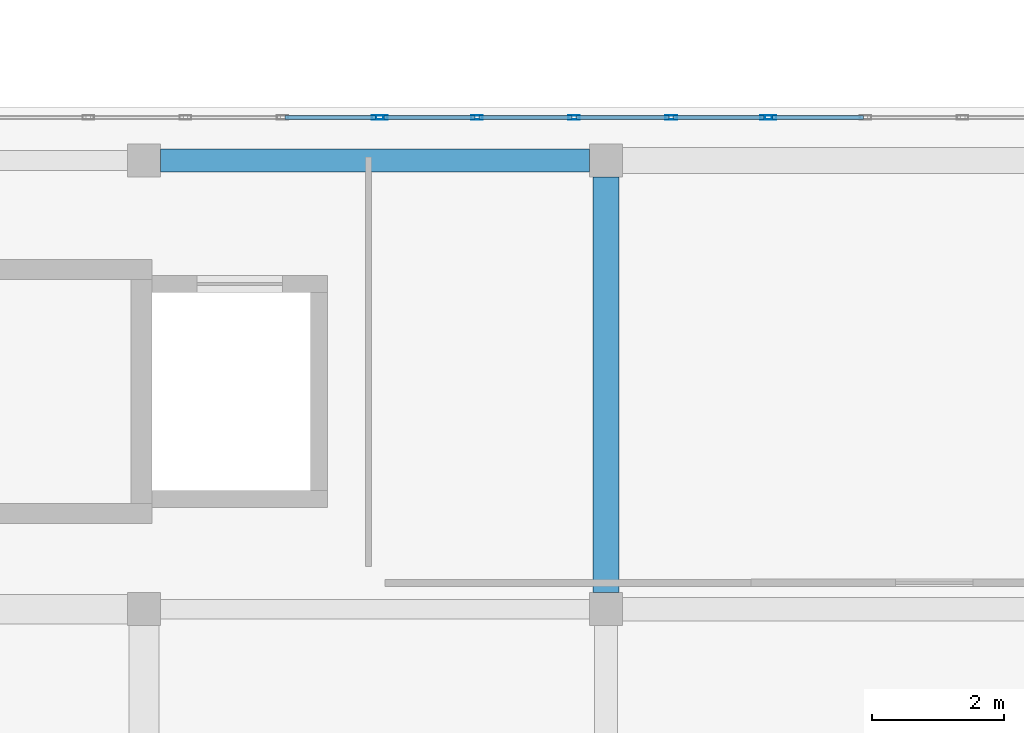
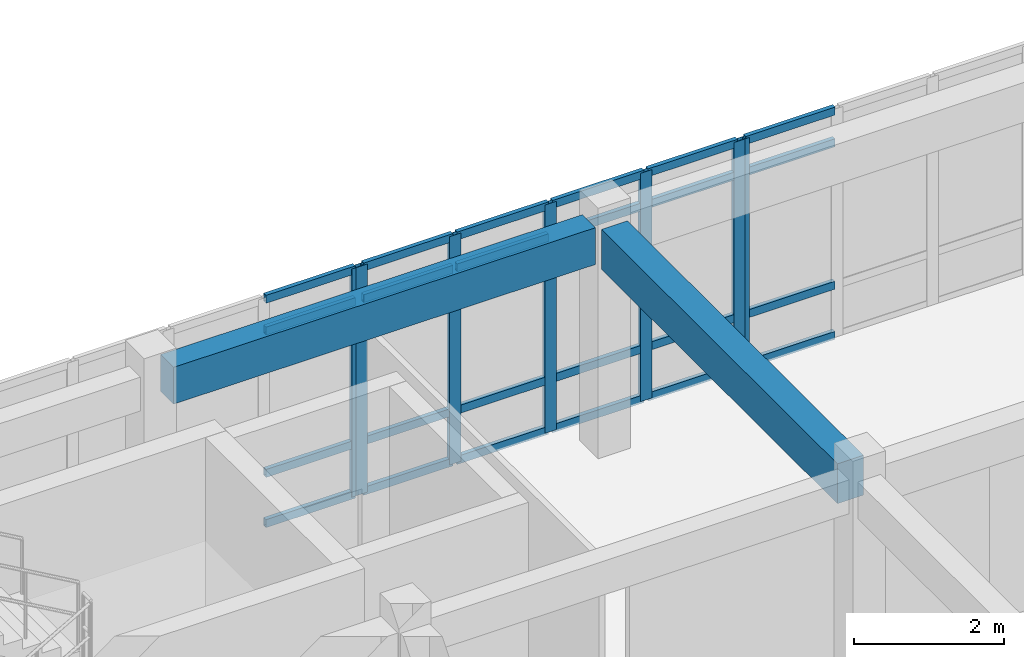
# One storey, part 29 of 91: 31 members, 2 beams, 3 elements without a shape of their own.
"""IFC4 building model written with IfcOpenShell, lengths in metres."""

from ifc_helpers import new_model, si_unit, direction, frame, origin, origin_2d, place, context, subcontext, project, spatial, rectangle, hollow_rectangle, extrude, material, layer, layer_set, material_profile, profile_set, type_object, element, aggregate, save


model = new_model("IFC4")

# Units and contexts
model_context = context("Model", 3, precision=1e-05, world=origin(), true_north=direction((0.0, 1.0)))
body_context = subcontext(model_context, "Body", "Model", "MODEL_VIEW")
ifc_project = project(units=[si_unit("LENGTHUNIT", "METRE"), si_unit("AREAUNIT", "SQUARE_METRE"), si_unit("VOLUMEUNIT", "CUBIC_METRE"), si_unit("PLANEANGLEUNIT", "RADIAN"), si_unit("MASSUNIT", "GRAM", prefix="KILO")], contexts=[model_context])

# Site, building, storey
site_placement = place(None, origin())
site = spatial("IfcSite", under=ifc_project, at=site_placement, CompositionType="ELEMENT")
building_placement = place(site_placement, origin())
building = spatial("IfcBuilding", under=site, at=building_placement, Name="Valcora Specialist Clinic", CompositionType="ELEMENT")
storey_placement = place(building_placement, frame((0.0, 0.0, 13.60009765625)))
storey = spatial("IfcBuildingStorey", under=building, at=storey_placement, Name="L03", CompositionType="ELEMENT", Elevation=13.60009765625)

# Beams
ifc_material_1 = material(Name="Concrete C40/50", Category="concrete")
ifc_material_profile_1 = material_profile(ifc_material_1, rectangle(XDim=0.35009765625, YDim=0.60009765625, at=origin_2d()), Name="RC-BM-350X600")
ifc_profile_set_1 = profile_set([ifc_material_profile_1], Name="Concrete C40/50")
beam_type_1 = type_object("IfcBeamType", Name="TY-BM-RC350X600", PredefinedType="BEAM", material=ifc_profile_set_1)
beam_1_placement = place(storey_placement, frame((38.050048828125, 22.0, 3.419921875), z_axis=(1.0, 0.0, 0.0), x_axis=(0.0, 1.0, 0.0)))
element("IfcBeam", 1, at=beam_1_placement, inside=storey, type_object=beam_type_1, Name="Beam BM-L03-1052", PredefinedType="BEAM", context=body_context, shape_type="SweptSolid", body=[
    extrude(rectangle(XDim=0.35009765625, YDim=0.60009765625, at=origin_2d()), origin(), (0.0, 0.0, 1.0), 6.5),
])
ifc_material_profile_2 = material_profile(ifc_material_1, rectangle(XDim=0.39990234375, YDim=0.64990234375, at=origin_2d()), Name="RC-BM-400X650")
ifc_profile_set_2 = profile_set([ifc_material_profile_2], Name="Concrete C40/50")
beam_type_2 = type_object("IfcBeamType", Name="TY-BM-RC400X650", PredefinedType="BEAM", material=ifc_profile_set_2)
beam_2_placement = place(storey_placement, frame((44.800048828125, 15.449951171875, 3.39501953125), z_axis=(0.0, 1.0, 0.0), x_axis=(-1.0, 0.0, 0.0)))
element("IfcBeam", 2, at=beam_2_placement, inside=storey, type_object=beam_type_2, Name="Beam BM-L03-1069", PredefinedType="BEAM", context=body_context, shape_type="SweptSolid", body=[
    extrude(rectangle(XDim=0.39990234375, YDim=0.64990234375, at=origin_2d()), origin(), (0.0, 0.0, 1.0), 6.300048828125),
])

# Curtain wall, member
ifc_material_2 = material(Name="Anodized Bronze Aluminium 6063-T6", Category="aluminium")
ifc_layer = layer(ifc_material_2, 0.175048828125)
ifc_layer_set = layer_set([ifc_layer], Name="Anodized Bronze Aluminium 6063-T6")
curtain_wall_type = type_object("IfcCurtainWallType", Name="TY-CW-V5F15", PredefinedType="NOTDEFINED", material=ifc_layer_set)
curtain_wall_1_placement = place(storey_placement, origin())
curtain_wall_1 = element("IfcCurtainWall", 3, at=curtain_wall_1_placement, inside=storey, type_object=curtain_wall_type, Name="Curtain wall CW-L03-161", PredefinedType="NOTDEFINED")
ifc_material_profile_3 = material_profile(ifc_material_2, hollow_rectangle(XDim=0.06494140625, YDim=0.175048828125, WallThickness=0.00390625, at=origin_2d()), Name="AL-MUL-65X175")
ifc_profile_set_3 = profile_set([ifc_material_profile_3], Name="Anodized Bronze Aluminium 6063-T6")
member_type_1 = type_object("IfcMemberType", Name="TY-CWM-65X175", PredefinedType="MULLION", material=ifc_profile_set_3)
member_1_placement = place(storey_placement, frame((41.339599609375, 22.64990234375, 0.0), z_axis=(0.0, 0.0, 1.0), x_axis=(0.0, 1.0, 0.0)))
member_1 = element("IfcMember", 4, at=member_1_placement, type_object=member_type_1, Name="CW-V5F-15 mullion 5", PredefinedType="MULLION", context=body_context, shape_type="SweptSolid", body=[
    extrude(hollow_rectangle(XDim=0.06494140625, YDim=0.175048828125, WallThickness=0.00390625, at=origin_2d()), origin(), (0.0, 0.0, 1.0), 3.719970703125),
])

# Curtain wall, members
curtain_wall_2_placement = place(storey_placement, origin())
curtain_wall_2 = element("IfcCurtainWall", 5, at=curtain_wall_2_placement, inside=storey, type_object=curtain_wall_type, Name="Curtain wall CW-L03-162", PredefinedType="NOTDEFINED")
member_2_placement = place(storey_placement, frame((41.40478515625, 22.64990234375, 0.0), z_axis=(0.0, 0.0, 1.0), x_axis=(0.0, 1.0, 0.0)))
member_2 = element("IfcMember", 6, at=member_2_placement, type_object=member_type_1, Name="CW-V5F-15 mullion 1", PredefinedType="MULLION", context=body_context, shape_type="SweptSolid", body=[
    extrude(hollow_rectangle(XDim=0.06494140625, YDim=0.175048828125, WallThickness=0.00390625, at=origin_2d()), origin(), (0.0, 0.0, 1.0), 3.719970703125),
])
member_3_placement = place(storey_placement, frame((42.844482421875, 22.64990234375, 0.0), z_axis=(0.0, 0.0, 1.0), x_axis=(0.0, 1.0, 0.0)))
member_3 = element("IfcMember", 7, at=member_3_placement, type_object=member_type_1, Name="CW-V5F-15 mullion 2", PredefinedType="MULLION", context=body_context, shape_type="SweptSolid", body=[
    extrude(hollow_rectangle(XDim=0.06494140625, YDim=0.175048828125, WallThickness=0.00390625, at=origin_2d()), origin(), (0.0, 0.0, 1.0), 3.719970703125),
])
member_4_placement = place(storey_placement, frame((44.316650390625, 22.64990234375, 0.0), z_axis=(0.0, 0.0, 1.0), x_axis=(0.0, 1.0, 0.0)))
member_4 = element("IfcMember", 8, at=member_4_placement, type_object=member_type_1, Name="CW-V5F-15 mullion 3", PredefinedType="MULLION", context=body_context, shape_type="SweptSolid", body=[
    extrude(hollow_rectangle(XDim=0.06494140625, YDim=0.175048828125, WallThickness=0.00390625, at=origin_2d()), origin(), (0.0, 0.0, 1.0), 3.719970703125),
])
member_5_placement = place(storey_placement, frame((45.788818359375, 22.64990234375, 0.0), z_axis=(0.0, 0.0, 1.0), x_axis=(0.0, 1.0, 0.0)))
member_5 = element("IfcMember", 9, at=member_5_placement, type_object=member_type_1, Name="CW-V5F-15 mullion 4", PredefinedType="MULLION", context=body_context, shape_type="SweptSolid", body=[
    extrude(hollow_rectangle(XDim=0.06494140625, YDim=0.175048828125, WallThickness=0.00390625, at=origin_2d()), origin(), (0.0, 0.0, 1.0), 3.719970703125),
])
member_6_placement = place(storey_placement, frame((47.228515625, 22.64990234375, 0.0), z_axis=(0.0, 0.0, 1.0), x_axis=(0.0, 1.0, 0.0)))
member_6 = element("IfcMember", 10, at=member_6_placement, type_object=member_type_1, Name="CW-V5F-15 mullion 5", PredefinedType="MULLION", context=body_context, shape_type="SweptSolid", body=[
    extrude(hollow_rectangle(XDim=0.06494140625, YDim=0.175048828125, WallThickness=0.00390625, at=origin_2d()), origin(), (0.0, 0.0, 1.0), 3.719970703125),
])

# Curtain wall, member
curtain_wall_3_placement = place(storey_placement, origin())
curtain_wall_3 = element("IfcCurtainWall", 11, at=curtain_wall_3_placement, inside=storey, type_object=curtain_wall_type, Name="Curtain wall CW-L03-163", PredefinedType="NOTDEFINED")
member_7_placement = place(storey_placement, frame((47.293701171875, 22.64990234375, 0.0), z_axis=(0.0, 0.0, 1.0), x_axis=(0.0, 1.0, 0.0)))
member_7 = element("IfcMember", 12, at=member_7_placement, type_object=member_type_1, Name="CW-V5F-15 mullion 1", PredefinedType="MULLION", context=body_context, shape_type="SweptSolid", body=[
    extrude(hollow_rectangle(XDim=0.06494140625, YDim=0.175048828125, WallThickness=0.00390625, at=origin_2d()), origin(), (0.0, 0.0, 1.0), 3.719970703125),
])

# Member
ifc_material_profile_4 = material_profile(ifc_material_2, hollow_rectangle(XDim=0.06494140625, YDim=0.1298828125, WallThickness=0.00390625, at=origin_2d()), Name="AL-TRN-65X130")
ifc_profile_set_4 = profile_set([ifc_material_profile_4], Name="Anodized Bronze Aluminium 6063-T6")
member_type_2 = type_object("IfcMemberType", Name="TY-CWT-65X130", PredefinedType="USERDEFINED", material=ifc_profile_set_4)
member_8_placement = place(storey_placement, frame((39.932373046875, 22.64990234375, 0.032470703125), z_axis=(1.0, 0.0, 0.0), x_axis=(0.0, 1.0, 0.0)))
member_8 = element("IfcMember", 13, at=member_8_placement, type_object=member_type_2, Name="CW-V5F-15 transom 4.1", ObjectType="TRANSOM", PredefinedType="USERDEFINED", context=body_context, shape_type="SweptSolid", body=[
    extrude(hollow_rectangle(XDim=0.06494140625, YDim=0.1298828125, WallThickness=0.00390625, at=origin_2d()), origin(), (0.0, 0.0, 1.0), 1.374755859375),
])

member_9_placement = place(storey_placement, frame((39.932373046875, 22.64990234375, 0.849853515625), z_axis=(1.0, 0.0, 0.0), x_axis=(0.0, 1.0, 0.0)))
member_9 = element("IfcMember", 14, at=member_9_placement, type_object=member_type_2, Name="CW-V5F-15 transom 4.2", ObjectType="TRANSOM", PredefinedType="USERDEFINED", context=body_context, shape_type="SweptSolid", body=[
    extrude(hollow_rectangle(XDim=0.06494140625, YDim=0.1298828125, WallThickness=0.00390625, at=origin_2d()), origin(), (0.0, 0.0, 1.0), 1.374755859375),
])

member_10_placement = place(storey_placement, frame((39.932373046875, 22.64990234375, 3.169921875), z_axis=(1.0, 0.0, 0.0), x_axis=(0.0, 1.0, 0.0)))
member_10 = element("IfcMember", 15, at=member_10_placement, type_object=member_type_2, Name="CW-V5F-15 transom 4.3", ObjectType="TRANSOM", PredefinedType="USERDEFINED", context=body_context, shape_type="SweptSolid", body=[
    extrude(hollow_rectangle(XDim=0.06494140625, YDim=0.1298828125, WallThickness=0.00390625, at=origin_2d()), origin(), (0.0, 0.0, 1.0), 1.374755859375),
])

member_11_placement = place(storey_placement, frame((39.932373046875, 22.64990234375, 3.6875), z_axis=(1.0, 0.0, 0.0), x_axis=(0.0, 1.0, 0.0)))
member_11 = element("IfcMember", 16, at=member_11_placement, type_object=member_type_2, Name="CW-V5F-15 transom 4.4", ObjectType="TRANSOM", PredefinedType="USERDEFINED", context=body_context, shape_type="SweptSolid", body=[
    extrude(hollow_rectangle(XDim=0.06494140625, YDim=0.1298828125, WallThickness=0.00390625, at=origin_2d()), origin(), (0.0, 0.0, 1.0), 1.374755859375),
])

aggregate(curtain_wall_1, [member_1, member_8, member_9, member_10, member_11])

member_12_placement = place(storey_placement, frame((41.437255859375, 22.64990234375, 0.032470703125), z_axis=(1.0, 0.0, 0.0), x_axis=(0.0, 1.0, 0.0)))
member_12 = element("IfcMember", 17, at=member_12_placement, type_object=member_type_2, Name="CW-V5F-15 transom 1.1", ObjectType="TRANSOM", PredefinedType="USERDEFINED", context=body_context, shape_type="SweptSolid", body=[
    extrude(hollow_rectangle(XDim=0.06494140625, YDim=0.1298828125, WallThickness=0.00390625, at=origin_2d()), origin(), (0.0, 0.0, 1.0), 1.374755859375),
])

member_13_placement = place(storey_placement, frame((41.437255859375, 22.64990234375, 0.849853515625), z_axis=(1.0, 0.0, 0.0), x_axis=(0.0, 1.0, 0.0)))
member_13 = element("IfcMember", 18, at=member_13_placement, type_object=member_type_2, Name="CW-V5F-15 transom 1.2", ObjectType="TRANSOM", PredefinedType="USERDEFINED", context=body_context, shape_type="SweptSolid", body=[
    extrude(hollow_rectangle(XDim=0.06494140625, YDim=0.1298828125, WallThickness=0.00390625, at=origin_2d()), origin(), (0.0, 0.0, 1.0), 1.374755859375),
])

member_14_placement = place(storey_placement, frame((41.437255859375, 22.64990234375, 3.169921875), z_axis=(1.0, 0.0, 0.0), x_axis=(0.0, 1.0, 0.0)))
member_14 = element("IfcMember", 19, at=member_14_placement, type_object=member_type_2, Name="CW-V5F-15 transom 1.3", ObjectType="TRANSOM", PredefinedType="USERDEFINED", context=body_context, shape_type="SweptSolid", body=[
    extrude(hollow_rectangle(XDim=0.06494140625, YDim=0.1298828125, WallThickness=0.00390625, at=origin_2d()), origin(), (0.0, 0.0, 1.0), 1.374755859375),
])

member_15_placement = place(storey_placement, frame((41.437255859375, 22.64990234375, 3.6875), z_axis=(1.0, 0.0, 0.0), x_axis=(0.0, 1.0, 0.0)))
member_15 = element("IfcMember", 20, at=member_15_placement, type_object=member_type_2, Name="CW-V5F-15 transom 1.4", ObjectType="TRANSOM", PredefinedType="USERDEFINED", context=body_context, shape_type="SweptSolid", body=[
    extrude(hollow_rectangle(XDim=0.06494140625, YDim=0.1298828125, WallThickness=0.00390625, at=origin_2d()), origin(), (0.0, 0.0, 1.0), 1.374755859375),
])

member_16_placement = place(storey_placement, frame((42.876953125, 22.64990234375, 0.032470703125), z_axis=(1.0, 0.0, 0.0), x_axis=(0.0, 1.0, 0.0)))
member_16 = element("IfcMember", 21, at=member_16_placement, type_object=member_type_2, Name="CW-V5F-15 transom 2.1", ObjectType="TRANSOM", PredefinedType="USERDEFINED", context=body_context, shape_type="SweptSolid", body=[
    extrude(hollow_rectangle(XDim=0.06494140625, YDim=0.1298828125, WallThickness=0.00390625, at=origin_2d()), origin(), (0.0, 0.0, 1.0), 1.4072265625),
])

member_17_placement = place(storey_placement, frame((42.876953125, 22.64990234375, 0.849853515625), z_axis=(1.0, 0.0, 0.0), x_axis=(0.0, 1.0, 0.0)))
member_17 = element("IfcMember", 22, at=member_17_placement, type_object=member_type_2, Name="CW-V5F-15 transom 2.2", ObjectType="TRANSOM", PredefinedType="USERDEFINED", context=body_context, shape_type="SweptSolid", body=[
    extrude(hollow_rectangle(XDim=0.06494140625, YDim=0.1298828125, WallThickness=0.00390625, at=origin_2d()), origin(), (0.0, 0.0, 1.0), 1.4072265625),
])

member_18_placement = place(storey_placement, frame((42.876953125, 22.64990234375, 3.169921875), z_axis=(1.0, 0.0, 0.0), x_axis=(0.0, 1.0, 0.0)))
member_18 = element("IfcMember", 23, at=member_18_placement, type_object=member_type_2, Name="CW-V5F-15 transom 2.3", ObjectType="TRANSOM", PredefinedType="USERDEFINED", context=body_context, shape_type="SweptSolid", body=[
    extrude(hollow_rectangle(XDim=0.06494140625, YDim=0.1298828125, WallThickness=0.00390625, at=origin_2d()), origin(), (0.0, 0.0, 1.0), 1.4072265625),
])

member_19_placement = place(storey_placement, frame((42.876953125, 22.64990234375, 3.6875), z_axis=(1.0, 0.0, 0.0), x_axis=(0.0, 1.0, 0.0)))
member_19 = element("IfcMember", 24, at=member_19_placement, type_object=member_type_2, Name="CW-V5F-15 transom 2.4", ObjectType="TRANSOM", PredefinedType="USERDEFINED", context=body_context, shape_type="SweptSolid", body=[
    extrude(hollow_rectangle(XDim=0.06494140625, YDim=0.1298828125, WallThickness=0.00390625, at=origin_2d()), origin(), (0.0, 0.0, 1.0), 1.4072265625),
])

member_20_placement = place(storey_placement, frame((44.34912109375, 22.64990234375, 0.032470703125), z_axis=(1.0, 0.0, 0.0), x_axis=(0.0, 1.0, 0.0)))
member_20 = element("IfcMember", 25, at=member_20_placement, type_object=member_type_2, Name="CW-V5F-15 transom 3.1", ObjectType="TRANSOM", PredefinedType="USERDEFINED", context=body_context, shape_type="SweptSolid", body=[
    extrude(hollow_rectangle(XDim=0.06494140625, YDim=0.1298828125, WallThickness=0.00390625, at=origin_2d()), origin(), (0.0, 0.0, 1.0), 1.4072265625),
])

member_21_placement = place(storey_placement, frame((44.34912109375, 22.64990234375, 0.849853515625), z_axis=(1.0, 0.0, 0.0), x_axis=(0.0, 1.0, 0.0)))
member_21 = element("IfcMember", 26, at=member_21_placement, type_object=member_type_2, Name="CW-V5F-15 transom 3.2", ObjectType="TRANSOM", PredefinedType="USERDEFINED", context=body_context, shape_type="SweptSolid", body=[
    extrude(hollow_rectangle(XDim=0.06494140625, YDim=0.1298828125, WallThickness=0.00390625, at=origin_2d()), origin(), (0.0, 0.0, 1.0), 1.4072265625),
])

member_22_placement = place(storey_placement, frame((44.34912109375, 22.64990234375, 3.169921875), z_axis=(1.0, 0.0, 0.0), x_axis=(0.0, 1.0, 0.0)))
member_22 = element("IfcMember", 27, at=member_22_placement, type_object=member_type_2, Name="CW-V5F-15 transom 3.3", ObjectType="TRANSOM", PredefinedType="USERDEFINED", context=body_context, shape_type="SweptSolid", body=[
    extrude(hollow_rectangle(XDim=0.06494140625, YDim=0.1298828125, WallThickness=0.00390625, at=origin_2d()), origin(), (0.0, 0.0, 1.0), 1.4072265625),
])

member_23_placement = place(storey_placement, frame((44.34912109375, 22.64990234375, 3.6875), z_axis=(1.0, 0.0, 0.0), x_axis=(0.0, 1.0, 0.0)))
member_23 = element("IfcMember", 28, at=member_23_placement, type_object=member_type_2, Name="CW-V5F-15 transom 3.4", ObjectType="TRANSOM", PredefinedType="USERDEFINED", context=body_context, shape_type="SweptSolid", body=[
    extrude(hollow_rectangle(XDim=0.06494140625, YDim=0.1298828125, WallThickness=0.00390625, at=origin_2d()), origin(), (0.0, 0.0, 1.0), 1.4072265625),
])

member_24_placement = place(storey_placement, frame((45.8212890625, 22.64990234375, 0.032470703125), z_axis=(1.0, 0.0, 0.0), x_axis=(0.0, 1.0, 0.0)))
member_24 = element("IfcMember", 29, at=member_24_placement, type_object=member_type_2, Name="CW-V5F-15 transom 4.1", ObjectType="TRANSOM", PredefinedType="USERDEFINED", context=body_context, shape_type="SweptSolid", body=[
    extrude(hollow_rectangle(XDim=0.06494140625, YDim=0.1298828125, WallThickness=0.00390625, at=origin_2d()), origin(), (0.0, 0.0, 1.0), 1.374755859375),
])

member_25_placement = place(storey_placement, frame((45.8212890625, 22.64990234375, 0.849853515625), z_axis=(1.0, 0.0, 0.0), x_axis=(0.0, 1.0, 0.0)))
member_25 = element("IfcMember", 30, at=member_25_placement, type_object=member_type_2, Name="CW-V5F-15 transom 4.2", ObjectType="TRANSOM", PredefinedType="USERDEFINED", context=body_context, shape_type="SweptSolid", body=[
    extrude(hollow_rectangle(XDim=0.06494140625, YDim=0.1298828125, WallThickness=0.00390625, at=origin_2d()), origin(), (0.0, 0.0, 1.0), 1.374755859375),
])

member_26_placement = place(storey_placement, frame((45.8212890625, 22.64990234375, 3.169921875), z_axis=(1.0, 0.0, 0.0), x_axis=(0.0, 1.0, 0.0)))
member_26 = element("IfcMember", 31, at=member_26_placement, type_object=member_type_2, Name="CW-V5F-15 transom 4.3", ObjectType="TRANSOM", PredefinedType="USERDEFINED", context=body_context, shape_type="SweptSolid", body=[
    extrude(hollow_rectangle(XDim=0.06494140625, YDim=0.1298828125, WallThickness=0.00390625, at=origin_2d()), origin(), (0.0, 0.0, 1.0), 1.374755859375),
])

member_27_placement = place(storey_placement, frame((45.8212890625, 22.64990234375, 3.6875), z_axis=(1.0, 0.0, 0.0), x_axis=(0.0, 1.0, 0.0)))
member_27 = element("IfcMember", 32, at=member_27_placement, type_object=member_type_2, Name="CW-V5F-15 transom 4.4", ObjectType="TRANSOM", PredefinedType="USERDEFINED", context=body_context, shape_type="SweptSolid", body=[
    extrude(hollow_rectangle(XDim=0.06494140625, YDim=0.1298828125, WallThickness=0.00390625, at=origin_2d()), origin(), (0.0, 0.0, 1.0), 1.374755859375),
])

aggregate(curtain_wall_2, [member_2, member_3, member_4, member_5, member_6, member_12, member_13, member_14, member_15, member_16, member_17, member_18, member_19, member_20, member_21, member_22, member_23, member_24, member_25, member_26, member_27])

member_28_placement = place(storey_placement, frame((47.326171875, 22.64990234375, 0.032470703125), z_axis=(1.0, 0.0, 0.0), x_axis=(0.0, 1.0, 0.0)))
member_28 = element("IfcMember", 33, at=member_28_placement, type_object=member_type_2, Name="CW-V5F-15 transom 1.1", ObjectType="TRANSOM", PredefinedType="USERDEFINED", context=body_context, shape_type="SweptSolid", body=[
    extrude(hollow_rectangle(XDim=0.06494140625, YDim=0.1298828125, WallThickness=0.00390625, at=origin_2d()), origin(), (0.0, 0.0, 1.0), 1.374755859375),
])

member_29_placement = place(storey_placement, frame((47.326171875, 22.64990234375, 0.849853515625), z_axis=(1.0, 0.0, 0.0), x_axis=(0.0, 1.0, 0.0)))
member_29 = element("IfcMember", 34, at=member_29_placement, type_object=member_type_2, Name="CW-V5F-15 transom 1.2", ObjectType="TRANSOM", PredefinedType="USERDEFINED", context=body_context, shape_type="SweptSolid", body=[
    extrude(hollow_rectangle(XDim=0.06494140625, YDim=0.1298828125, WallThickness=0.00390625, at=origin_2d()), origin(), (0.0, 0.0, 1.0), 1.374755859375),
])

member_30_placement = place(storey_placement, frame((47.326171875, 22.64990234375, 3.169921875), z_axis=(1.0, 0.0, 0.0), x_axis=(0.0, 1.0, 0.0)))
member_30 = element("IfcMember", 35, at=member_30_placement, type_object=member_type_2, Name="CW-V5F-15 transom 1.3", ObjectType="TRANSOM", PredefinedType="USERDEFINED", context=body_context, shape_type="SweptSolid", body=[
    extrude(hollow_rectangle(XDim=0.06494140625, YDim=0.1298828125, WallThickness=0.00390625, at=origin_2d()), origin(), (0.0, 0.0, 1.0), 1.374755859375),
])

member_31_placement = place(storey_placement, frame((47.326171875, 22.64990234375, 3.6875), z_axis=(1.0, 0.0, 0.0), x_axis=(0.0, 1.0, 0.0)))
member_31 = element("IfcMember", 36, at=member_31_placement, type_object=member_type_2, Name="CW-V5F-15 transom 1.4", ObjectType="TRANSOM", PredefinedType="USERDEFINED", context=body_context, shape_type="SweptSolid", body=[
    extrude(hollow_rectangle(XDim=0.06494140625, YDim=0.1298828125, WallThickness=0.00390625, at=origin_2d()), origin(), (0.0, 0.0, 1.0), 1.374755859375),
])

aggregate(curtain_wall_3, [member_7, member_28, member_29, member_30, member_31])

save(model, "model.ifc")
